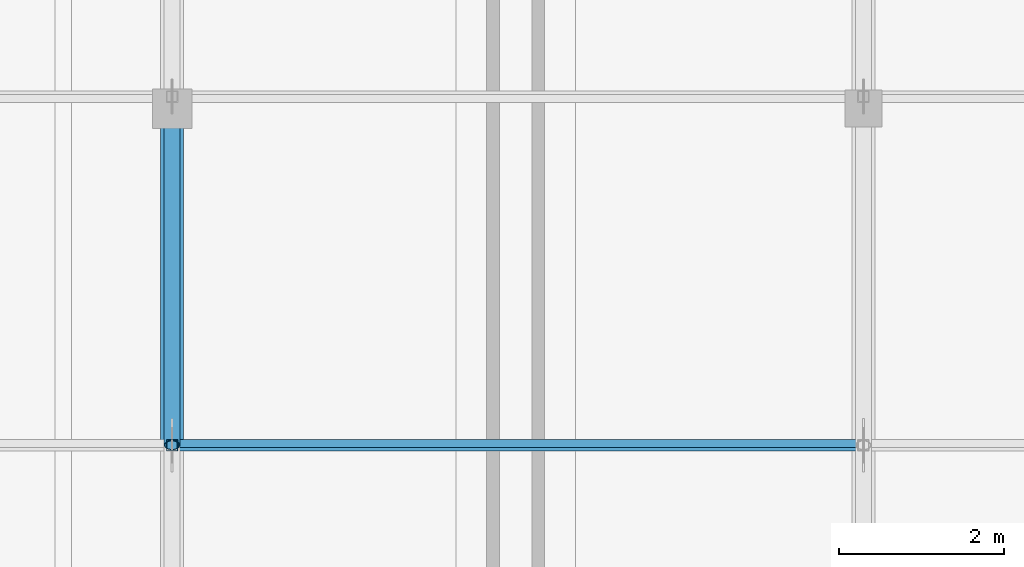
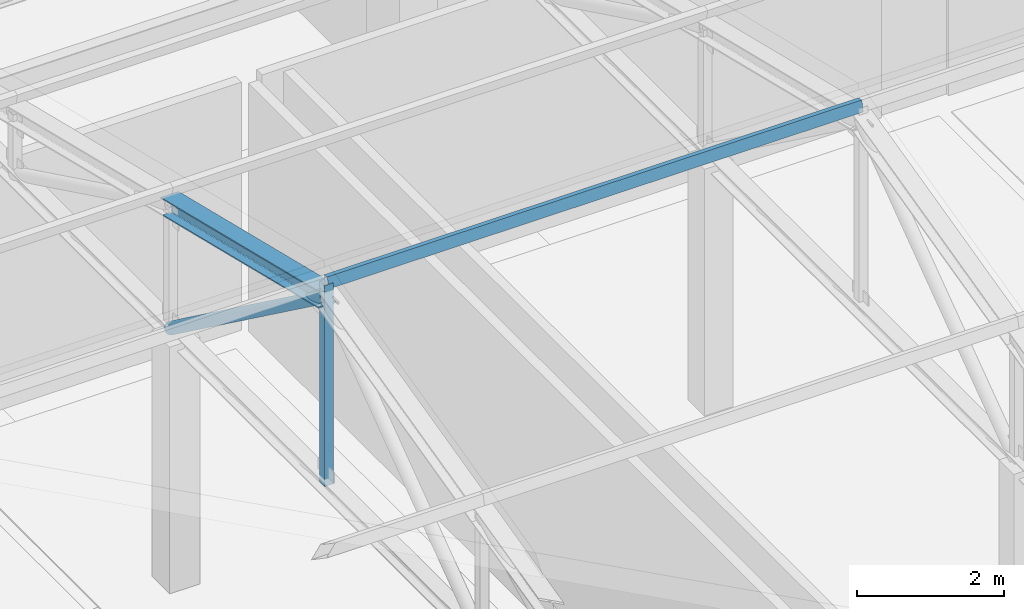
# One storey, part 22 of 192: 4 members.
"""IFC4 building model written with IfcOpenShell, lengths in metres."""

from ifc_helpers import new_model, si_unit, direction, frame, origin, origin_2d, place, context, subcontext, project, spatial, hollow_rectangle, hollow_circle, i_section, extrude, material, material_profile, profile_set, type_object, element, save


model = new_model("IFC4")

# Units and contexts
model_context = context("Model", 3, precision=1e-05, world=origin(), true_north=direction((0.0, 1.0)))
body_context = subcontext(model_context, "Body", "Model", "MODEL_VIEW")
ifc_project = project(units=[si_unit("LENGTHUNIT", "METRE"), si_unit("AREAUNIT", "SQUARE_METRE"), si_unit("VOLUMEUNIT", "CUBIC_METRE"), si_unit("PLANEANGLEUNIT", "RADIAN"), si_unit("MASSUNIT", "GRAM", prefix="KILO")], contexts=[model_context])

# Site, building, storey
site_placement = place(None, origin())
site = spatial("IfcSite", under=ifc_project, at=site_placement, CompositionType="ELEMENT")
building_placement = place(site_placement, origin())
building = spatial("IfcBuilding", under=site, at=building_placement, Name="Kveldsbrygga Polytechnic", CompositionType="ELEMENT")
storey_placement = place(building_placement, frame((0.0, 0.0, 5.43994140625)))
storey = spatial("IfcBuildingStorey", under=building, at=storey_placement, Name="L01", CompositionType="ELEMENT", Elevation=5.43994140625)

# Members
ifc_material = material(Name="Steel S355", Category="steel")
ifc_material_profile_1 = material_profile(ifc_material, hollow_rectangle(XDim=0.10009765625, YDim=0.179931640625, WallThickness=0.008056640625, at=origin_2d()), Name="RHS 180x100x8.0")
ifc_profile_set_1 = profile_set([ifc_material_profile_1], Name="Steel S355")
member_type_1 = type_object("IfcMemberType", Name="PRL-RHS180", PredefinedType="PURLIN", material=ifc_profile_set_1)
member_1_placement = place(storey_placement, frame((25.199951171875, 12.7099609375, 7.456787109375), z_axis=(1.0, 0.0, 0.0), x_axis=(0.0, 0.971520177509, -0.236956841415)))
element("IfcMember", 1, at=member_1_placement, inside=storey, type_object=member_type_1, Name="Roof Purlin V5S-PRL-4-3", PredefinedType="PURLIN", context=body_context, shape_type="SweptSolid", body=[
    extrude(hollow_rectangle(XDim=0.10009765625, YDim=0.179931640625, WallThickness=0.008056640625, at=origin_2d()), origin(), (0.0, 0.0, 1.0), 8.400146484375),
])
ifc_material_profile_2 = material_profile(ifc_material, hollow_circle(Radius=0.096923828125, WallThickness=0.010009765625, at=origin_2d()), Name="CHS 193.7x10.0")
ifc_profile_set_2 = profile_set([ifc_material_profile_2], Name="Steel S355")
member_type_2 = type_object("IfcMemberType", Name="TR-DIAG-CHS194", PredefinedType="BRACE", material=ifc_profile_set_2)
member_2_placement = place(storey_placement, frame((25.199951171875, 12.7099609375, 7.219970703125), z_axis=(0.0, 0.807053568691, -0.590478227594), x_axis=(-1.0, 0.0, 0.0)))
element("IfcMember", 2, at=member_2_placement, inside=storey, type_object=member_type_2, Name="Truss Diagonal V5S-T04-DG-4", PredefinedType="BRACE", context=body_context, shape_type="SweptSolid", body=[
    extrude(hollow_circle(Radius=0.096923828125, WallThickness=0.010009765625, at=origin_2d()), origin(), (0.0, 0.0, 1.0), 5.249755859375),
])
ifc_material_profile_3 = material_profile(ifc_material, hollow_rectangle(XDim=0.139892578125, YDim=0.139892578125, WallThickness=0.008056640625, at=origin_2d()), Name="SHS 140x140x8.0")
ifc_profile_set_3 = profile_set([ifc_material_profile_3], Name="Steel S355")
member_type_3 = type_object("IfcMemberType", Name="TR-POST-SHS140", PredefinedType="STRUT", material=ifc_profile_set_3)
member_3_placement = place(storey_placement, frame((25.199951171875, 12.7099609375, 4.1201171875), z_axis=(0.0, 0.0, 1.0), x_axis=(1.0, 0.0, 0.0)))
element("IfcMember", 3, at=member_3_placement, inside=storey, type_object=member_type_3, Name="Truss Vertical V5S-T04-VT-3", PredefinedType="STRUT", context=body_context, shape_type="SweptSolid", body=[
    extrude(hollow_rectangle(XDim=0.139892578125, YDim=0.139892578125, WallThickness=0.008056640625, at=origin_2d()), origin(), (0.0, 0.0, 1.0), 3.336669921875),
])
ifc_material_profile_4 = material_profile(ifc_material, i_section(OverallWidth=0.280029296875, OverallDepth=0.280029296875, WebThickness=0.010498046875, FlangeThickness=0.01806640625, FilletRadius=0.02392578125, at=origin_2d()), Name="HEB 280")
ifc_profile_set_4 = profile_set([ifc_material_profile_4], Name="Steel S355")
member_type_4 = type_object("IfcMemberType", Name="TR-TOP-HEB280", PredefinedType="CHORD", material=ifc_profile_set_4)
member_4_placement = place(storey_placement, frame((25.199951171875, 12.7099609375, 7.219970703125), z_axis=(0.0, 0.971529139484, -0.236920094405), x_axis=(-1.0, 0.0, 0.0)))
element("IfcMember", 4, at=member_4_placement, inside=storey, type_object=member_type_4, Name="Truss Top Chord V5S-T04-TC-4", PredefinedType="CHORD", context=body_context, shape_type="SweptSolid", body=[
    extrude(i_section(OverallWidth=0.280029296875, OverallDepth=0.280029296875, WebThickness=0.010498046875, FlangeThickness=0.01806640625, FilletRadius=0.02392578125, at=origin_2d()), origin(), (0.0, 0.0, 1.0), 4.361083984375),
])

save(model, "model.ifc")
